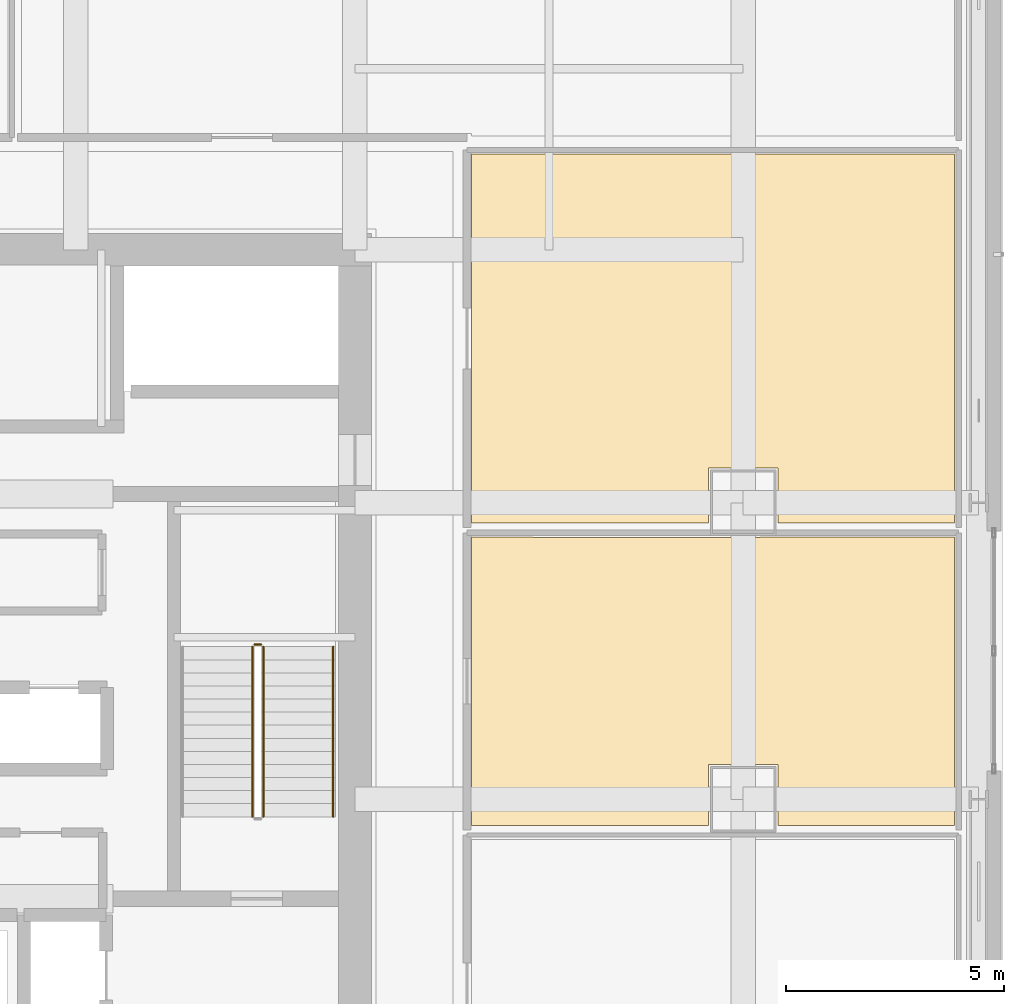
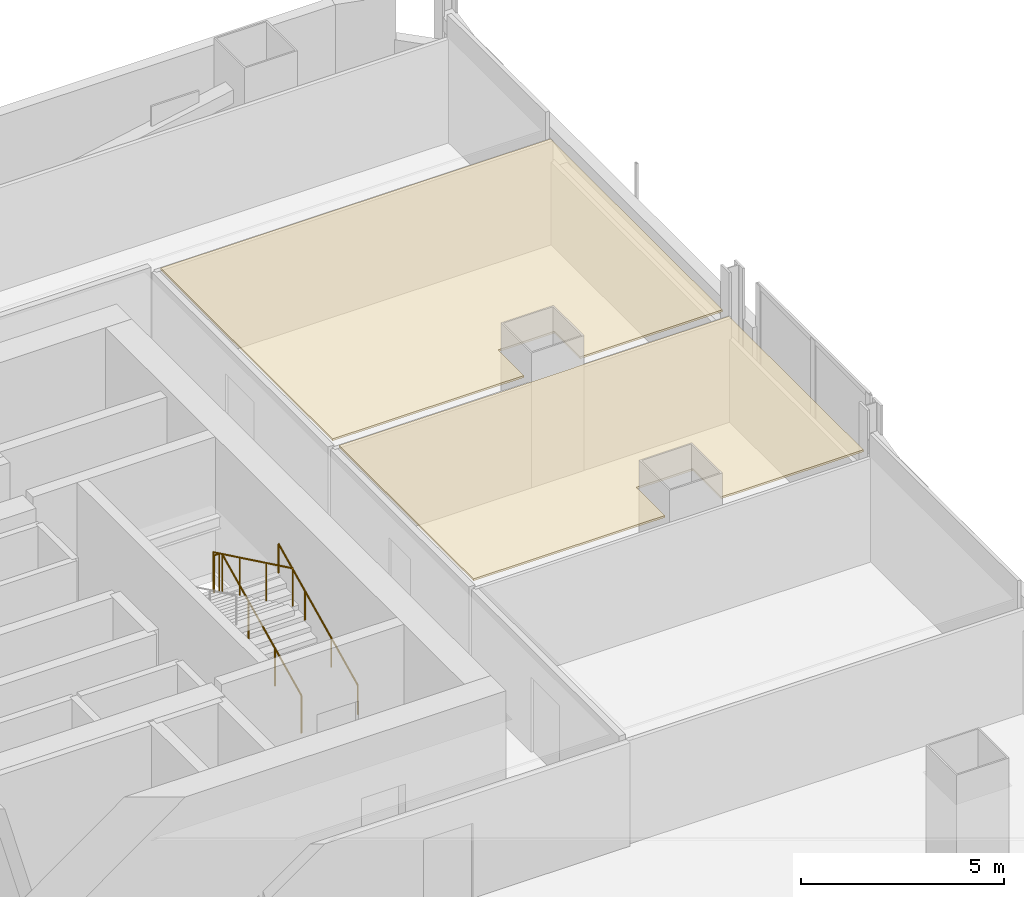
# One storey, part 24 of 27: 4 railings, 2 coverings.
"""IFC4 building model written with IfcOpenShell, lengths in metres."""

from ifc_helpers import new_model, si_unit, direction, frame, origin, origin_2d, place, context, subcontext, project, spatial, polyline, circle, outline, extrude, material, layer, layer_set, type_object, element, save


model = new_model("IFC4")

# Units and contexts
model_context = context("Model", 3, precision=1e-05, world=origin(), true_north=direction((0.0, 1.0)))
body_context = subcontext(model_context, "Body", "Model", "MODEL_VIEW")
ifc_project = project(units=[si_unit("LENGTHUNIT", "METRE"), si_unit("AREAUNIT", "SQUARE_METRE"), si_unit("VOLUMEUNIT", "CUBIC_METRE"), si_unit("PLANEANGLEUNIT", "RADIAN"), si_unit("MASSUNIT", "GRAM", prefix="KILO")], contexts=[model_context])

# Site, building, storey
site_placement = place(None, origin())
site = spatial("IfcSite", under=ifc_project, at=site_placement, CompositionType="ELEMENT")
building_placement = place(site_placement, origin())
building = spatial("IfcBuilding", under=site, at=building_placement, Name="Punatoya Terracotta Tower", CompositionType="ELEMENT")
storey_placement = place(building_placement, frame((0.0, 0.0, 60.60009765625)))
storey = spatial("IfcBuildingStorey", under=building, at=storey_placement, Name="L13", CompositionType="ELEMENT", Elevation=60.60009765625)

# Coverings
ifc_material_1 = material(Name="Acoustic Mineral Fibre Ceiling")
ifc_layer = layer(ifc_material_1, 0.06005859375)
ifc_layer_set = layer_set([ifc_layer], Name="Acoustic Mineral Fibre Ceiling")
covering_type = type_object("IfcCoveringType", Name="COV-CEIL-60", PredefinedType="CEILING", material=ifc_layer_set)
covering_1_placement = place(storey_placement, frame((0.0, 0.0, 3.159912109375)))
element("IfcCovering", 1, at=covering_1_placement, inside=storey, type_object=covering_type, Name="L13 Open-Plan Acoustic Wellness Room Acoustic Ceiling", PredefinedType="CEILING", context=body_context, shape_type="SweptSolid", body=[
    extrude(outline(polyline([(18.300048828125, 2.60009765625), (12.8701171875, 2.612060546875), (12.8701171875, -3.998046875), (18.300048828125, -3.998046875), (18.300048828125, -2.60009765625), (19.89990234375, -2.60009765625), (19.89990234375, -3.998046875), (23.93994140625, -3.998046875), (23.93994140625, 2.612060546875), (19.89990234375, 2.612060546875), (18.300048828125, 2.60009765625)])), origin(), (0.0, 0.0, 1.0), 0.06005859375),
])
covering_2_placement = place(storey_placement, frame((0.0, 0.0, 3.159912109375)))
element("IfcCovering", 2, at=covering_2_placement, inside=storey, type_object=covering_type, Name="L13 Open-Plan Editorial Conference Room Acoustic Ceiling", PredefinedType="CEILING", context=body_context, shape_type="SweptSolid", body=[
    extrude(outline(polyline([(12.8701171875, 11.389892578125), (12.8701171875, 2.931884765625), (18.300048828125, 2.931884765625), (18.300048828125, 4.199951171875), (19.89990234375, 4.199951171875), (19.89990234375, 2.931884765625), (23.93994140625, 2.931884765625), (23.93994140625, 11.389892578125), (12.8701171875, 11.389892578125)])), origin(), (0.0, 0.0, 1.0), 0.06005859375),
])

# Railings
ifc_material_2 = material(Name="Steel S355", Category="steel")
railing_type_1 = type_object("IfcRailingType", Name="RLG-GRD-1150", PredefinedType="GUARDRAIL", material=ifc_material_2)
railing_1_placement = place(storey_placement, frame((8.10009765625, -3.800048828125, 0.14453125)))
element("IfcRailing", 3, at=railing_1_placement, inside=storey, type_object=railing_type_1, Name="L13 ST-2 stair guard 1", PredefinedType="GUARDRAIL", context=body_context, shape_type="SweptSolid", body=[
    extrude(circle(Radius=0.02392578125, at=origin_2d()), frame((0.0, 0.0, 1.1259765625), z_axis=(0.0, 0.900773802044, 0.434288564841), x_axis=(-1.0, 0.0, 0.0)), (0.0, 0.0, 1.0), 4.329833984375),
    extrude(circle(Radius=0.02099609375, at=origin_2d()), origin(), (0.0, 0.0, 1.0), 1.101806640625),
    extrude(circle(Radius=0.02099609375, at=origin_2d()), frame((0.0, 1.300048828125, 0.626708984375)), (0.0, 0.0, 1.0), 1.101806640625),
    extrude(circle(Radius=0.02099609375, at=origin_2d()), frame((0.0, 2.60009765625, 1.253662109375)), (0.0, 0.0, 1.0), 1.101806640625),
    extrude(circle(Radius=0.02099609375, at=origin_2d()), frame((0.0, 3.900146484375, 1.88037109375)), (0.0, 0.0, 1.0), 1.101806640625),
])
railing_2_placement = place(storey_placement, frame((8.050048828125, 0.14990234375, 2.02490234375)))
element("IfcRailing", 4, at=railing_2_placement, inside=storey, type_object=railing_type_1, Name="L13 ST-2 stair guard 2", PredefinedType="GUARDRAIL", context=body_context, shape_type="SweptSolid", body=[
    extrude(circle(Radius=0.02392578125, at=origin_2d()), frame((0.0, 0.0, 1.1259765625), z_axis=(-1.0, 0.0, 0.0), x_axis=(0.0, -1.0, 0.0)), (0.0, 0.0, 1.0), 0.150146484375),
    extrude(circle(Radius=0.02099609375, at=origin_2d()), origin(), (0.0, 0.0, 1.0), 1.101806640625),
    extrude(circle(Radius=0.02099609375, at=origin_2d()), frame((-0.150146484375, 0.0, 0.0)), (0.0, 0.0, 1.0), 1.101806640625),
])
railing_3_placement = place(storey_placement, frame((7.85009765625, 0.10009765625, 2.16943359375)))
element("IfcRailing", 5, at=railing_3_placement, inside=storey, type_object=railing_type_1, Name="L13 ST-2 stair guard 3", PredefinedType="GUARDRAIL", context=body_context, shape_type="SweptSolid", body=[
    extrude(circle(Radius=0.02392578125, at=origin_2d()), frame((0.0, 0.0, 1.1259765625), z_axis=(0.0, -0.900773802044, 0.434288564841), x_axis=(1.0, 0.0, 0.0)), (0.0, 0.0, 1.0), 4.329833984375),
    extrude(circle(Radius=0.02099609375, at=origin_2d()), origin(), (0.0, 0.0, 1.0), 1.101806640625),
    extrude(circle(Radius=0.02099609375, at=origin_2d()), frame((0.0, -1.300048828125, 0.626708984375)), (0.0, 0.0, 1.0), 1.101806640625),
    extrude(circle(Radius=0.02099609375, at=origin_2d()), frame((0.0, -2.60009765625, 1.253662109375)), (0.0, 0.0, 1.0), 1.101806640625),
    extrude(circle(Radius=0.02099609375, at=origin_2d()), frame((0.0, -3.900146484375, 1.88037109375)), (0.0, 0.0, 1.0), 1.101806640625),
])
railing_type_2 = type_object("IfcRailingType", Name="RLG-HND-900", PredefinedType="HANDRAIL", material=ifc_material_2)
railing_4_placement = place(storey_placement, frame((9.699951171875, -3.800048828125, 0.14453125)))
element("IfcRailing", 6, at=railing_4_placement, inside=storey, type_object=railing_type_2, Name="L13 ST-2 stair handrail 1", PredefinedType="HANDRAIL", context=body_context, shape_type="SweptSolid", body=[
    extrude(circle(Radius=0.02392578125, at=origin_2d()), frame((0.0, 0.0, 0.8759765625), z_axis=(0.0, 0.900773802044, 0.434288564841), x_axis=(-1.0, 0.0, 0.0)), (0.0, 0.0, 1.0), 4.329833984375),
    extrude(circle(Radius=0.02099609375, at=origin_2d()), origin(), (0.0, 0.0, 1.0), 0.851806640625),
    extrude(circle(Radius=0.02099609375, at=origin_2d()), frame((0.0, 1.300048828125, 0.626708984375)), (0.0, 0.0, 1.0), 0.851806640625),
    extrude(circle(Radius=0.02099609375, at=origin_2d()), frame((0.0, 2.60009765625, 1.253662109375)), (0.0, 0.0, 1.0), 0.851806640625),
    extrude(circle(Radius=0.02099609375, at=origin_2d()), frame((0.0, 3.900146484375, 1.88037109375)), (0.0, 0.0, 1.0), 0.851806640625),
])

save(model, "model.ifc")
